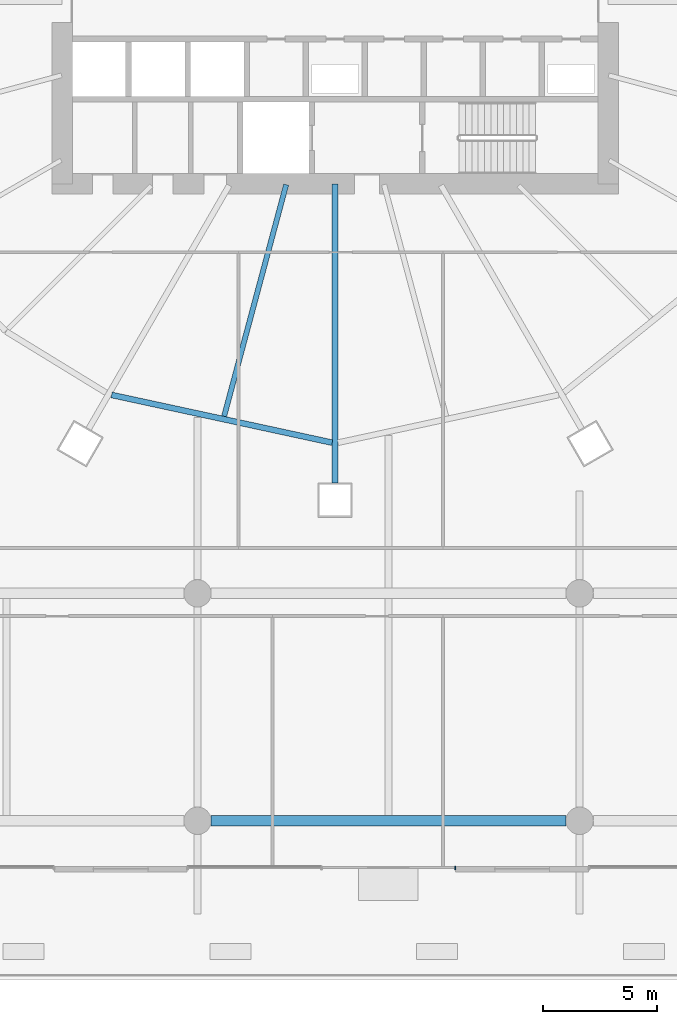
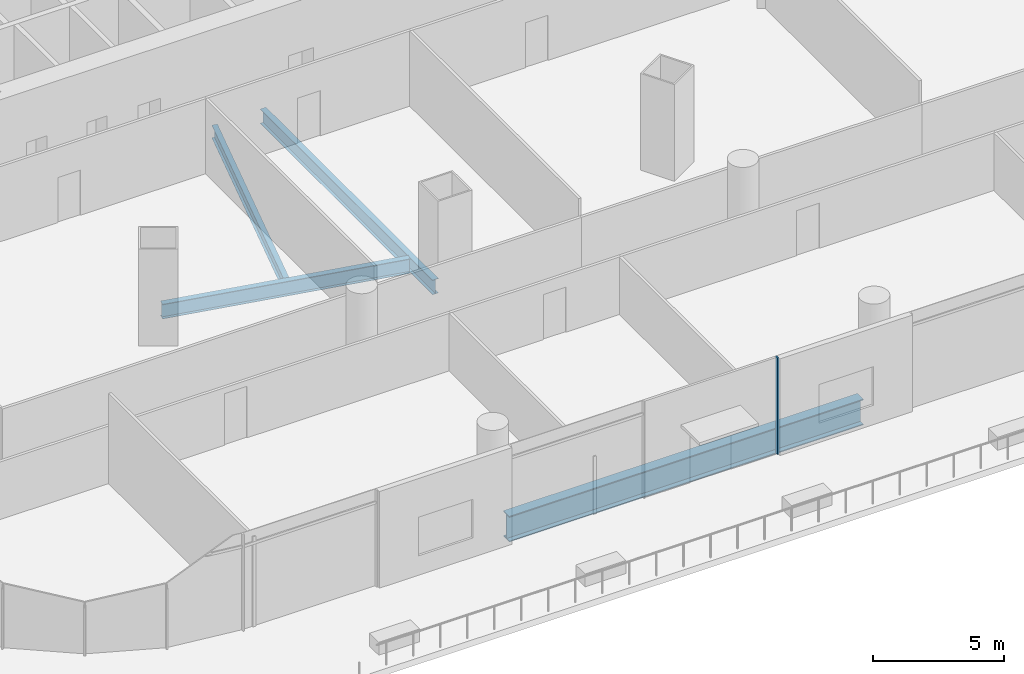
# One storey, part 4 of 43: 4 beams, 1 member, 1 element without a shape of its own.
"""IFC4 building model written with IfcOpenShell, lengths in metres."""

from ifc_helpers import new_model, si_unit, direction, frame, origin, origin_2d, place, context, subcontext, project, spatial, rectangle, i_section, extrude, material, material_profile, profile_set, type_object, element, aggregate, save


model = new_model("IFC4")

# Units and contexts
model_context = context("Model", 3, precision=1e-05, world=origin(), true_north=direction((0.0, 1.0)))
body_context = subcontext(model_context, "Body", "Model", "MODEL_VIEW")
ifc_project = project(units=[si_unit("LENGTHUNIT", "METRE"), si_unit("AREAUNIT", "SQUARE_METRE"), si_unit("VOLUMEUNIT", "CUBIC_METRE"), si_unit("PLANEANGLEUNIT", "RADIAN"), si_unit("MASSUNIT", "GRAM", prefix="KILO")], contexts=[model_context])

# Site, building, storey
site_placement = place(None, origin())
site = spatial("IfcSite", under=ifc_project, at=site_placement, CompositionType="ELEMENT")
building_placement = place(site_placement, origin())
building = spatial("IfcBuilding", under=site, at=building_placement, Name="Rimbun Link Towers", CompositionType="ELEMENT")
storey_placement = place(building_placement, frame((0.0, 0.0, 12.0)))
storey = spatial("IfcBuildingStorey", under=building, at=storey_placement, Name="L02", CompositionType="ELEMENT", Elevation=12.0)

# Curtain wall, member
ifc_material_1 = material(Name="Aluminium 6063-T6 and low-iron glass", Category="aluminium")
curtain_wall_type = type_object("IfcCurtainWallType", Name="CW3 podium shopfront", PredefinedType="NOTDEFINED", material=ifc_material_1)
curtain_wall_placement = place(storey_placement, origin())
curtain_wall = element("IfcCurtainWall", 1, at=curtain_wall_placement, inside=storey, type_object=curtain_wall_type, Name="CW3 L02 PD", PredefinedType="NOTDEFINED")
ifc_material_2 = material(Name="Aluminium 6063-T6", Category="aluminium")
ifc_material_profile_1 = material_profile(ifc_material_2, rectangle(XDim=0.14990234375, YDim=0.06005859375, at=origin_2d()), Name="MULLION 60X150")
ifc_profile_set_1 = profile_set([ifc_material_profile_1], Name="Aluminium 6063-T6")
member_type = type_object("IfcMemberType", Name="CW3 mullion 60X150", PredefinedType="MULLION", material=ifc_profile_set_1)
member_placement = place(storey_placement, frame((-26.470703125, -38.074951171875, 0.0), z_axis=(0.0, 0.0, 1.0), x_axis=(0.0, -1.0, 0.0)))
member = element("IfcMember", 2, at=member_placement, type_object=member_type, Name="CW3 mullion", PredefinedType="MULLION", context=body_context, shape_type="SweptSolid", body=[
    extrude(rectangle(XDim=0.14990234375, YDim=0.06005859375, at=origin_2d()), origin(), (0.0, 0.0, 1.0), 4.5),
])
aggregate(curtain_wall, [member])

# Beams
ifc_material_3 = material(Name="Steel S355J2", Category="steel")
ifc_material_profile_2 = material_profile(ifc_material_3, i_section(OverallWidth=0.449951171875, OverallDepth=1.199951171875, WebThickness=0.030029296875, FlangeThickness=0.044921875, at=origin_2d()), Name="PG 1200x450x30/45")
ifc_profile_set_2 = profile_set([ifc_material_profile_2], Name="Steel S355J2")
beam_type_1 = type_object("IfcBeamType", Name="PG 1200x450x30/45", PredefinedType="BEAM", material=ifc_profile_set_2)
beam_1_placement = place(storey_placement, frame((-37.199951171875, -36.0, -0.89990234375), z_axis=(1.0, 0.0, 0.0), x_axis=(0.0, 1.0, 0.0)))
element("IfcBeam", 3, at=beam_1_placement, inside=storey, type_object=beam_type_1, Name="Grid beam L02 -36.0", PredefinedType="BEAM", context=body_context, shape_type="SweptSolid", body=[
    extrude(i_section(OverallWidth=0.449951171875, OverallDepth=1.199951171875, WebThickness=0.030029296875, FlangeThickness=0.044921875, at=origin_2d()), origin(), (0.0, 0.0, 1.0), 15.599853515625),
])
ifc_material_4 = material(Name="Steel S355J2", Category="steel")
ifc_material_profile_3 = material_profile(ifc_material_4, i_section(OverallWidth=0.2275390625, OverallDepth=0.6025390625, WebThickness=0.010498046875, FlangeThickness=0.014892578125, at=origin_2d()), Name="UB 610x229x101")
ifc_profile_set_3 = profile_set([ifc_material_profile_3], Name="Steel S355J2")
beam_type_2 = type_object("IfcBeamType", Name="UB 610x229x101", PredefinedType="BEAM", material=ifc_profile_set_3)
beam_2_placement = place(storey_placement, frame((-33.901611328125, -8.030517578125, -0.601318359375), z_axis=(-0.258844096103, -0.965919113545, 0.0), x_axis=(0.965919113545, -0.258844096103, 0.0)))
element("IfcBeam", 4, at=beam_2_placement, inside=storey, type_object=beam_type_2, Name="Radial beam T1 L02 17", PredefinedType="BEAM", context=body_context, shape_type="SweptSolid", body=[
    extrude(i_section(OverallWidth=0.2275390625, OverallDepth=0.6025390625, WebThickness=0.010498046875, FlangeThickness=0.014892578125, at=origin_2d()), origin(), (0.0, 0.0, 1.0), 10.544921875),
])
ifc_material_5 = material(Name="Steel S355J2", Category="steel")
ifc_material_profile_4 = material_profile(ifc_material_5, i_section(OverallWidth=0.253662109375, OverallDepth=0.68359375, WebThickness=0.012451171875, FlangeThickness=0.01904296875, at=origin_2d()), Name="UB 686x254x140")
ifc_profile_set_4 = profile_set([ifc_material_profile_4], Name="Steel S355J2")
beam_type_3 = type_object("IfcBeamType", Name="UB 686x254x140", PredefinedType="BEAM", material=ifc_profile_set_4)
beam_3_placement = place(storey_placement, frame((-31.75, -8.0009765625, -0.641845703125), z_axis=(0.0, -1.0, 0.0), x_axis=(1.0, 0.0, 0.0)))
element("IfcBeam", 5, at=beam_3_placement, inside=storey, type_object=beam_type_3, Name="Radial beam T1 L02 18", PredefinedType="BEAM", context=body_context, shape_type="SweptSolid", body=[
    extrude(i_section(OverallWidth=0.253662109375, OverallDepth=0.68359375, WebThickness=0.012451171875, FlangeThickness=0.01904296875, at=origin_2d()), origin(), (0.0, 0.0, 1.0), 13.1533203125),
])
beam_4_placement = place(storey_placement, frame((-41.577392578125, -17.27685546875, -0.641845703125), z_axis=(0.977390124833, -0.211443949734, 0.0), x_axis=(0.211443949734, 0.977390124833, 0.0)))
element("IfcBeam", 6, at=beam_4_placement, inside=storey, type_object=beam_type_3, Name="Edge beam T1 L02 16-18", PredefinedType="BEAM", context=body_context, shape_type="SweptSolid", body=[
    extrude(i_section(OverallWidth=0.253662109375, OverallDepth=0.68359375, WebThickness=0.012451171875, FlangeThickness=0.01904296875, at=origin_2d()), origin(), (0.0, 0.0, 1.0), 9.924072265625),
])

save(model, "model.ifc")
